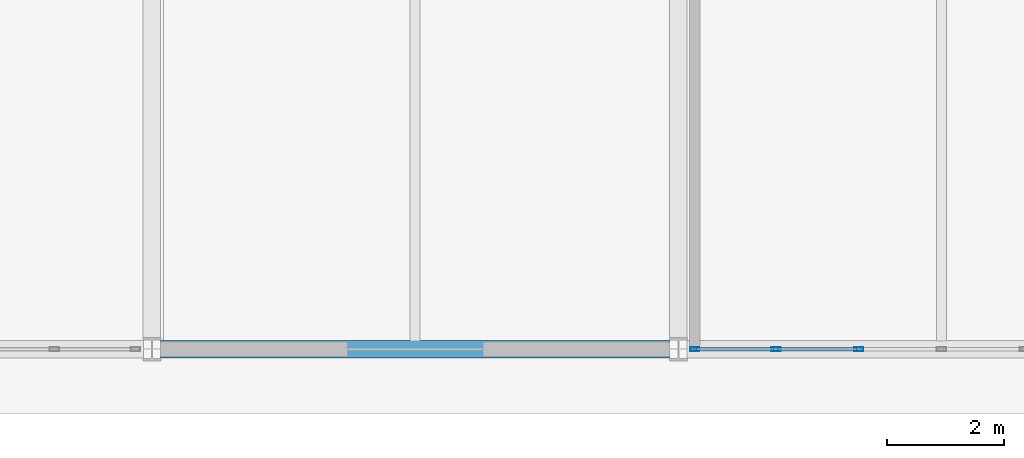
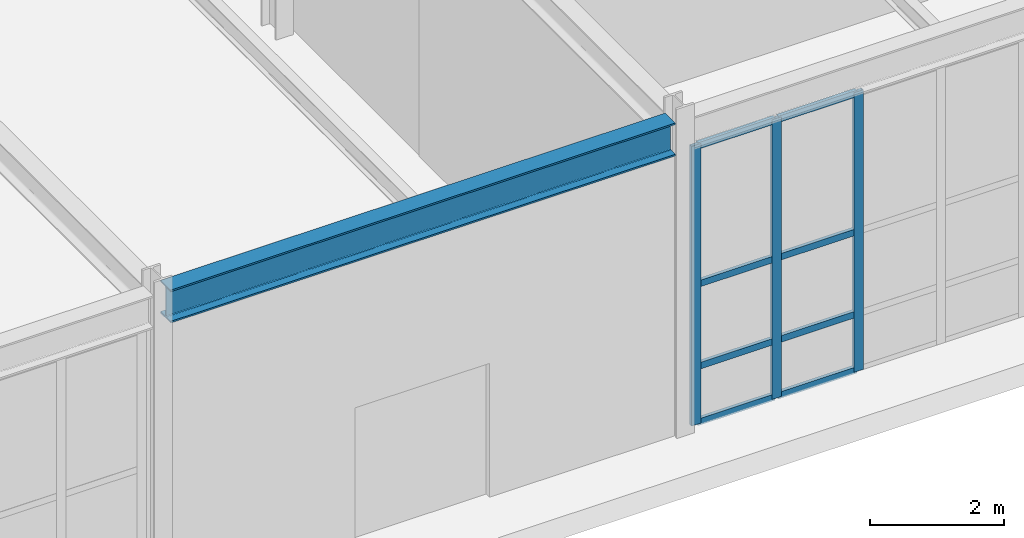
# One storey, part 32 of 146: 11 members, 1 beam, 1 element without a shape of its own.
"""IFC4 building model written with IfcOpenShell, lengths in metres."""

import ifcopenshell
import ifcopenshell.guid

model = None  # the IFC model being written
_history = None  # IfcOwnerHistory: only IFC2X3 demands one
_inside = {}  # id of a spatial element -> (the spatial element, [elements in it])
_under = {}  # id of a project, library or spatial element -> (it, [spatial elements below it])
_declared = {}  # id of a project -> (the project, [libraries it declares])
_typed = {}  # id of a type object -> (the type object, [elements of that type])
_made_of = {}  # id of a material, layer set ... -> (it, [elements and type objects made of it])


def new_model(schema):
    """Start an empty IFC model of exactly this schema.

    Asked for "IFC4X3", IfcOpenShell would pick the latest addendum, in which some entities
    have other attributes; the version numbers below select the first issue.
    IFC2X3 requires an IfcOwnerHistory on every rooted entity: one is made here for all.
    """
    global model, _history
    if schema == "IFC4X3":
        model = ifcopenshell.file(schema_version=(4, 3, 0, 0))
    else:
        model = ifcopenshell.file(schema=schema)
    _inside.clear()
    _under.clear()
    _declared.clear()
    _typed.clear()
    _made_of.clear()
    _history = None
    if model.schema == "IFC2X3":
        org = make("IfcOrganization", Name="unknown")
        user = make(
            "IfcPersonAndOrganization",
            ThePerson=make("IfcPerson", FamilyName="unknown"),
            TheOrganization=org,
        )
        app = make(
            "IfcApplication",
            ApplicationDeveloper=org,
            Version="unknown",
            ApplicationFullName="unknown",
            ApplicationIdentifier="unknown",
        )
        _history = make(
            "IfcOwnerHistory",
            OwningUser=user,
            OwningApplication=app,
            ChangeAction="ADDED",
            CreationDate=0,
        )
    return model


def make(cls, **values):
    """One entity of the class cls with the attributes given. An attribute that is None is left unset."""
    return model.create_entity(
        cls, **{name: value for name, value in values.items() if value is not None}
    )


def rooted(cls, **values):
    """An entity with a GlobalId (a new one), such as an element, a storey or a relation."""
    return make(cls, GlobalId=ifcopenshell.guid.new(), OwnerHistory=_history, **values)


def si_unit(unit_type, name, prefix=None):
    """IfcSIUnit, for example si_unit("LENGTHUNIT", "METRE", prefix="MILLI")."""
    return make("IfcSIUnit", UnitType=unit_type, Prefix=prefix, Name=name)


def assignment(units):
    """IfcUnitAssignment: the units of a project."""
    return None if units is None else make("IfcUnitAssignment", Units=units)


def point(xyz):
    """IfcCartesianPoint."""
    return None if xyz is None else make("IfcCartesianPoint", Coordinates=xyz)


def direction(xyz):
    """IfcDirection."""
    return None if xyz is None else make("IfcDirection", DirectionRatios=xyz)


def frame(location, z_axis=None, x_axis=None):
    """IfcAxis2Placement3D, a coordinate frame: its origin and axes. An axis left out is left unset."""
    return make(
        "IfcAxis2Placement3D",
        Location=point(location),
        Axis=direction(z_axis),
        RefDirection=direction(x_axis),
    )


def frame_2d(location, x_axis=None):
    """IfcAxis2Placement2D, a coordinate frame in the plane: its origin and x axis."""
    return make(
        "IfcAxis2Placement2D", Location=point(location), RefDirection=direction(x_axis)
    )


def origin():
    """The frame at (0, 0, 0) with its axes left unset."""
    return frame((0.0, 0.0, 0.0))


def origin_2d():
    """The frame at (0, 0) in the plane with its x axis left unset."""
    return frame_2d((0.0, 0.0))


def place(relative_to, where):
    """IfcLocalPlacement: puts the frame where relative to a parent placement (None: the world)."""
    return make(
        "IfcLocalPlacement", PlacementRelTo=relative_to, RelativePlacement=where
    )


def context(
    kind, dimensions, precision=None, world=None, true_north=None, identifier=None
):
    """IfcGeometricRepresentationContext, for example the 3D "Model" context."""
    return make(
        "IfcGeometricRepresentationContext",
        ContextIdentifier=identifier,
        ContextType=kind,
        CoordinateSpaceDimension=dimensions,
        Precision=precision,
        WorldCoordinateSystem=world,
        TrueNorth=true_north,
    )


def subcontext(parent, identifier, kind, view, scale=None):
    """IfcGeometricRepresentationSubContext, for example "Body" below "Model"."""
    return make(
        "IfcGeometricRepresentationSubContext",
        ContextIdentifier=identifier,
        ContextType=kind,
        ParentContext=parent,
        TargetScale=scale,
        TargetView=view,
    )


def project(units=None, contexts=None):
    """IfcProject with its units and contexts."""
    return rooted(
        "IfcProject",
        Name="project",
        RepresentationContexts=contexts,
        UnitsInContext=assignment(units),
    )


def spatial(cls, under=None, at=None, **own):
    """A site, building, storey or space (cls), placed at a placement, below another one or the project."""
    s = rooted(cls, ObjectPlacement=at, **own)
    if under is not None:
        _under.setdefault(under.id(), (under, []))[1].append(s)
    return s


def profile(cls, at=None, kind="AREA", **sizes):
    """A parametric profile (cls). Its sizes go by their IFC names, for example OverallWidth=200.0."""
    return make(cls, ProfileType=kind, Position=at, **sizes)


def hollow_rectangle(**sizes):
    """IfcRectangleHollowProfileDef."""
    return profile("IfcRectangleHollowProfileDef", **sizes)


def i_section(**sizes):
    """IfcIShapeProfileDef."""
    return profile("IfcIShapeProfileDef", **sizes)


def extrude(swept, where, along, depth):
    """IfcExtrudedAreaSolid: the profile swept, set in the frame where, extruded along a direction by depth."""
    return make(
        "IfcExtrudedAreaSolid",
        SweptArea=swept,
        Position=where,
        ExtrudedDirection=direction(along),
        Depth=depth,
    )


def shape(context_of_items, identifier, shape_type, items):
    """IfcShapeRepresentation: the items that make up one representation, for example the "Body"."""
    return make(
        "IfcShapeRepresentation",
        ContextOfItems=context_of_items,
        RepresentationIdentifier=identifier,
        RepresentationType=shape_type,
        Items=items,
    )


def material(Name=None, Category=None):
    """IfcMaterial."""
    return make("IfcMaterial", Name=Name, Category=Category)


def material_profile(
    of_material, cross_section, Name=None, Category=None, Priority=None
):
    """IfcMaterialProfile: a cross section and its material."""
    return make(
        "IfcMaterialProfile",
        Name=Name,
        Material=of_material,
        Profile=cross_section,
        Priority=Priority,
        Category=Category,
    )


def profile_set(profiles, Name=None, composite=None):
    """IfcMaterialProfileSet."""
    return make(
        "IfcMaterialProfileSet",
        Name=Name,
        MaterialProfiles=profiles,
        CompositeProfile=composite,
    )


def made_of(thing, what):
    """Note that an element or type object is made of a material, layer set ...; save() writes the relation."""
    if what is not None:
        _made_of.setdefault(what.id(), (what, []))[1].append(thing)
    return thing


def type_object(cls, material=None, **own):
    """A type object (cls), such as IfcWallType, which elements share."""
    return made_of(rooted(cls, **own), material)


def element(
    cls,
    number,
    at=None,
    inside=None,
    cuts=None,
    type_object=None,
    material=None,
    context=None,
    identifier="Body",
    shape_type=None,
    held_by="IfcProductDefinitionShape",
    body=None,
    shapes=None,
    **own,
):
    """One element of the class cls, such as IfcWall. Its Tag is "e" and its number.

    at: its placement. inside: the storey or other place that contains it. cuts: it is an
    opening in that element (IfcRelVoidsElement). A single representation is given by context,
    identifier, shape_type and body (its items); several are given by shapes. held_by: the class
    of the entity that holds the representations. save() writes the other relations.
    """
    e = rooted(cls, Tag="e%d" % number, ObjectPlacement=at, **own)
    if body is not None:
        shapes = [shape(context, identifier, shape_type, body)]
    if shapes is not None:
        e.Representation = make(held_by, Representations=shapes)
    if inside is not None:
        _inside.setdefault(inside.id(), (inside, []))[1].append(e)
    if cuts is not None:
        rooted(
            "IfcRelVoidsElement", RelatingBuildingElement=cuts, RelatedOpeningElement=e
        )
    if type_object is not None:
        _typed.setdefault(type_object.id(), (type_object, []))[1].append(e)
    return made_of(e, material)


def aggregate(whole, parts):
    """IfcRelAggregates: a whole, such as a stair, and the parts it consists of."""
    return rooted("IfcRelAggregates", RelatingObject=whole, RelatedObjects=parts)


def save(model, path):
    """Write the relations noted so far, then the file.

    IfcRelAggregates (storeys below a building ...), IfcRelContainedInSpatialStructure (elements
    in a storey), IfcRelDefinesByType, IfcRelAssociatesMaterial and IfcRelDeclares: one each for
    every whole, place, type object, material and project.
    """
    for whole, parts in _under.values():
        aggregate(whole, parts)
    for where, things in _inside.values():
        rooted(
            "IfcRelContainedInSpatialStructure",
            RelatedElements=things,
            RelatingStructure=where,
        )
    for kind, things in _typed.values():
        rooted("IfcRelDefinesByType", RelatedObjects=things, RelatingType=kind)
    for what, things in _made_of.values():
        rooted("IfcRelAssociatesMaterial", RelatedObjects=things, RelatingMaterial=what)
    for by, libraries in _declared.values():
        rooted("IfcRelDeclares", RelatingContext=by, RelatedDefinitions=libraries)
    model.write(path)


model = new_model("IFC4")

# Units and contexts
model_context = context("Model", 3, precision=1e-05, world=origin(), true_north=direction((0.0, 1.0)))
body_context = subcontext(model_context, "Body", "Model", "MODEL_VIEW")
ifc_project = project(units=[si_unit("LENGTHUNIT", "METRE"), si_unit("AREAUNIT", "SQUARE_METRE"), si_unit("VOLUMEUNIT", "CUBIC_METRE"), si_unit("PLANEANGLEUNIT", "RADIAN"), si_unit("MASSUNIT", "GRAM", prefix="KILO")], contexts=[model_context])

# Site, building, storey
site_placement = place(None, origin())
site = spatial("IfcSite", under=ifc_project, at=site_placement, CompositionType="ELEMENT")
building_placement = place(site_placement, origin())
building = spatial("IfcBuilding", under=site, at=building_placement, Name="Kaldris Quays Convention Centre", CompositionType="ELEMENT")
storey_placement = place(building_placement, origin())
storey = spatial("IfcBuildingStorey", under=building, at=storey_placement, Name="L00", CompositionType="ELEMENT", Elevation=0.0)

# Curtain wall, members
ifc_material_1 = material(Name="Anodized aluminium AW-6060 and triple glazing", Category="aluminium")
curtain_wall_type = type_object("IfcCurtainWallType", Name="UNITISED CURTAIN WALL CW01", PredefinedType="NOTDEFINED", material=ifc_material_1)
curtain_wall_placement = place(storey_placement, origin())
curtain_wall = element("IfcCurtainWall", 1, at=curtain_wall_placement, inside=storey, type_object=curtain_wall_type, Name="L00 Unitised Curtain Wall CW01 47", PredefinedType="NOTDEFINED")
ifc_material_2 = material(Name="Anodized aluminium AW-6060", Category="aluminium")
ifc_material_profile_1 = material_profile(ifc_material_2, hollow_rectangle(XDim=0.06005859375, YDim=0.159912109375, WallThickness=0.00390625, at=origin_2d()), Name="RHS 160x60x4")
ifc_profile_set_1 = profile_set([ifc_material_profile_1], Name="Anodized aluminium AW-6060")
member_type_1 = type_object("IfcMemberType", Name="CURTAIN MULLION CWM1", PredefinedType="MULLION", material=ifc_profile_set_1)
member_1_placement = place(storey_placement, frame((56.280029296875, 16.0, 0.0), z_axis=(0.0, 0.0, 1.0), x_axis=(0.0, 1.0, 0.0)))
member_1 = element("IfcMember", 2, at=member_1_placement, type_object=member_type_1, Name="CW01 mullion 1", PredefinedType="MULLION", context=body_context, shape_type="SweptSolid", body=[
    extrude(hollow_rectangle(XDim=0.06005859375, YDim=0.159912109375, WallThickness=0.00390625, at=origin_2d()), origin(), (0.0, 0.0, 1.0), 5.097900390625),
])
member_2_placement = place(storey_placement, frame((57.666748046875, 16.0, 0.0), z_axis=(0.0, 0.0, 1.0), x_axis=(0.0, 1.0, 0.0)))
member_2 = element("IfcMember", 3, at=member_2_placement, type_object=member_type_1, Name="CW01 mullion 2", PredefinedType="MULLION", context=body_context, shape_type="SweptSolid", body=[
    extrude(hollow_rectangle(XDim=0.06005859375, YDim=0.159912109375, WallThickness=0.00390625, at=origin_2d()), origin(), (0.0, 0.0, 1.0), 5.097900390625),
])
member_3_placement = place(storey_placement, frame((59.083251953125, 16.0, 0.0), z_axis=(0.0, 0.0, 1.0), x_axis=(0.0, 1.0, 0.0)))
member_3 = element("IfcMember", 4, at=member_3_placement, type_object=member_type_1, Name="CW01 mullion 3", PredefinedType="MULLION", context=body_context, shape_type="SweptSolid", body=[
    extrude(hollow_rectangle(XDim=0.06005859375, YDim=0.159912109375, WallThickness=0.00390625, at=origin_2d()), origin(), (0.0, 0.0, 1.0), 5.097900390625),
])
ifc_material_profile_2 = material_profile(ifc_material_2, hollow_rectangle(XDim=0.06005859375, YDim=0.1201171875, WallThickness=0.00390625, at=origin_2d()), Name="RHS 120x60x4")
ifc_profile_set_2 = profile_set([ifc_material_profile_2], Name="Anodized aluminium AW-6060")
member_type_2 = type_object("IfcMemberType", Name="CURTAIN TRANSOM CWT1", PredefinedType="USERDEFINED", material=ifc_profile_set_2)
member_4_placement = place(storey_placement, frame((56.31005859375, 16.0, 0.030029296875), z_axis=(1.0, 0.0, 0.0), x_axis=(0.0, 1.0, 0.0)))
member_4 = element("IfcMember", 5, at=member_4_placement, type_object=member_type_2, Name="CW01 transom 1.1", ObjectType="TRANSOM", PredefinedType="USERDEFINED", context=body_context, shape_type="SweptSolid", body=[
    extrude(hollow_rectangle(XDim=0.06005859375, YDim=0.1201171875, WallThickness=0.00390625, at=origin_2d()), origin(), (0.0, 0.0, 1.0), 1.32666015625),
])
member_5_placement = place(storey_placement, frame((56.31005859375, 16.0, 1.050048828125), z_axis=(1.0, 0.0, 0.0), x_axis=(0.0, 1.0, 0.0)))
member_5 = element("IfcMember", 6, at=member_5_placement, type_object=member_type_2, Name="CW01 transom 1.2", ObjectType="TRANSOM", PredefinedType="USERDEFINED", context=body_context, shape_type="SweptSolid", body=[
    extrude(hollow_rectangle(XDim=0.06005859375, YDim=0.1201171875, WallThickness=0.00390625, at=origin_2d()), origin(), (0.0, 0.0, 1.0), 1.32666015625),
])
member_6_placement = place(storey_placement, frame((56.31005859375, 16.0, 2.549072265625), z_axis=(1.0, 0.0, 0.0), x_axis=(0.0, 1.0, 0.0)))
member_6 = element("IfcMember", 7, at=member_6_placement, type_object=member_type_2, Name="CW01 transom 1.3", ObjectType="TRANSOM", PredefinedType="USERDEFINED", context=body_context, shape_type="SweptSolid", body=[
    extrude(hollow_rectangle(XDim=0.06005859375, YDim=0.1201171875, WallThickness=0.00390625, at=origin_2d()), origin(), (0.0, 0.0, 1.0), 1.32666015625),
])
member_7_placement = place(storey_placement, frame((56.31005859375, 16.0, 5.068115234375), z_axis=(1.0, 0.0, 0.0), x_axis=(0.0, 1.0, 0.0)))
member_7 = element("IfcMember", 8, at=member_7_placement, type_object=member_type_2, Name="CW01 transom 1.4", ObjectType="TRANSOM", PredefinedType="USERDEFINED", context=body_context, shape_type="SweptSolid", body=[
    extrude(hollow_rectangle(XDim=0.06005859375, YDim=0.1201171875, WallThickness=0.00390625, at=origin_2d()), origin(), (0.0, 0.0, 1.0), 1.32666015625),
])
member_8_placement = place(storey_placement, frame((57.69677734375, 16.0, 0.030029296875), z_axis=(1.0, 0.0, 0.0), x_axis=(0.0, 1.0, 0.0)))
member_8 = element("IfcMember", 9, at=member_8_placement, type_object=member_type_2, Name="CW01 transom 2.1", ObjectType="TRANSOM", PredefinedType="USERDEFINED", context=body_context, shape_type="SweptSolid", body=[
    extrude(hollow_rectangle(XDim=0.06005859375, YDim=0.1201171875, WallThickness=0.00390625, at=origin_2d()), origin(), (0.0, 0.0, 1.0), 1.3564453125),
])
member_9_placement = place(storey_placement, frame((57.69677734375, 16.0, 1.050048828125), z_axis=(1.0, 0.0, 0.0), x_axis=(0.0, 1.0, 0.0)))
member_9 = element("IfcMember", 10, at=member_9_placement, type_object=member_type_2, Name="CW01 transom 2.2", ObjectType="TRANSOM", PredefinedType="USERDEFINED", context=body_context, shape_type="SweptSolid", body=[
    extrude(hollow_rectangle(XDim=0.06005859375, YDim=0.1201171875, WallThickness=0.00390625, at=origin_2d()), origin(), (0.0, 0.0, 1.0), 1.3564453125),
])
member_10_placement = place(storey_placement, frame((57.69677734375, 16.0, 2.549072265625), z_axis=(1.0, 0.0, 0.0), x_axis=(0.0, 1.0, 0.0)))
member_10 = element("IfcMember", 11, at=member_10_placement, type_object=member_type_2, Name="CW01 transom 2.3", ObjectType="TRANSOM", PredefinedType="USERDEFINED", context=body_context, shape_type="SweptSolid", body=[
    extrude(hollow_rectangle(XDim=0.06005859375, YDim=0.1201171875, WallThickness=0.00390625, at=origin_2d()), origin(), (0.0, 0.0, 1.0), 1.3564453125),
])
member_11_placement = place(storey_placement, frame((57.69677734375, 16.0, 5.068115234375), z_axis=(1.0, 0.0, 0.0), x_axis=(0.0, 1.0, 0.0)))
member_11 = element("IfcMember", 12, at=member_11_placement, type_object=member_type_2, Name="CW01 transom 2.4", ObjectType="TRANSOM", PredefinedType="USERDEFINED", context=body_context, shape_type="SweptSolid", body=[
    extrude(hollow_rectangle(XDim=0.06005859375, YDim=0.1201171875, WallThickness=0.00390625, at=origin_2d()), origin(), (0.0, 0.0, 1.0), 1.3564453125),
])
aggregate(curtain_wall, [member_1, member_2, member_3, member_4, member_5, member_6, member_7, member_8, member_9, member_10, member_11])

# Beam
ifc_material_3 = material(Name="Steel S355J2", Category="steel")
ifc_material_profile_3 = material_profile(ifc_material_3, i_section(OverallWidth=0.300048828125, OverallDepth=0.60009765625, WebThickness=0.015380859375, FlangeThickness=0.030029296875, FilletRadius=0.027099609375, at=origin_2d()), Name="HEB 600")
ifc_profile_set_3 = profile_set([ifc_material_profile_3], Name="Steel S355J2")
beam_type = type_object("IfcBeamType", Name="STRUCTURAL BEAM BM05", PredefinedType="BEAM", material=ifc_profile_set_3)
beam_placement = place(storey_placement, frame((47.14794921875, 16.0, 5.423095703125), z_axis=(1.0, 0.0, 0.0), x_axis=(0.0, 1.0, 0.0)))
element("IfcBeam", 13, at=beam_placement, inside=storey, type_object=beam_type, Name="L00 Girder BM05 4", PredefinedType="BEAM", context=body_context, shape_type="SweptSolid", body=[
    extrude(i_section(OverallWidth=0.300048828125, OverallDepth=0.60009765625, WebThickness=0.015380859375, FlangeThickness=0.030029296875, FilletRadius=0.027099609375, at=origin_2d()), origin(), (0.0, 0.0, 1.0), 8.7041015625),
])

save(model, "model.ifc")
